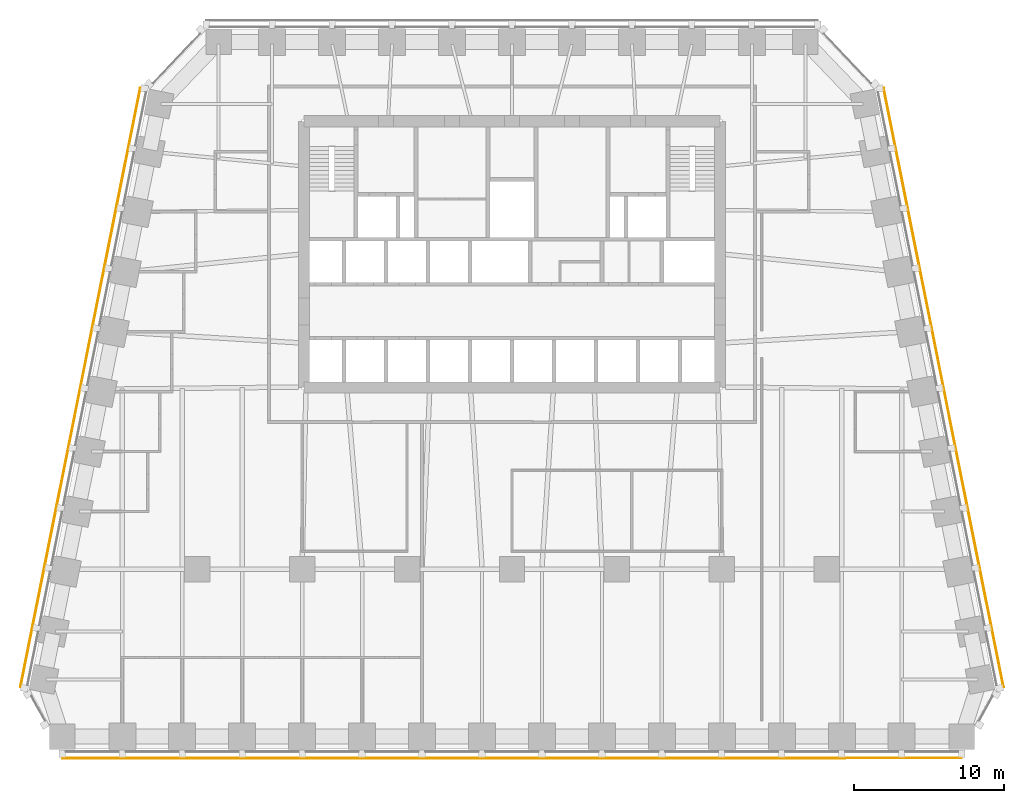
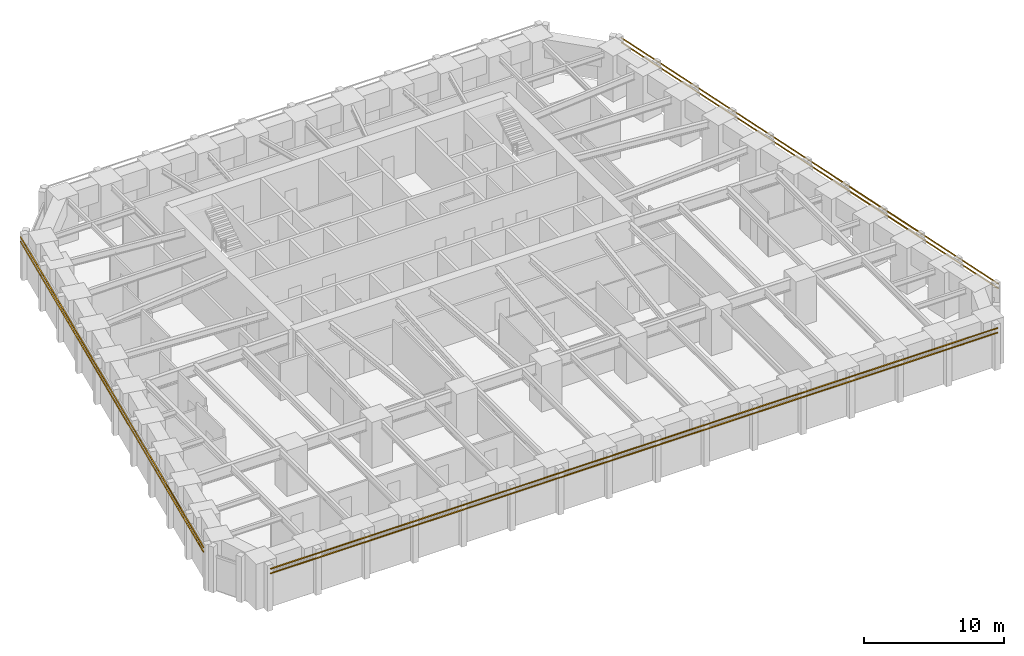
# One storey, part 9 of 10: 6 shading devices.
"""IFC4 building model written with IfcOpenShell, lengths in metres."""

from ifc_helpers import new_model, si_unit, direction, frame, origin, origin_2d, place, context, subcontext, project, spatial, rectangle, extrude, material, material_profile, profile_set, type_object, element, save


model = new_model("IFC4")

# Units and contexts
model_context = context("Model", 3, precision=1e-05, world=origin(), true_north=direction((0.0, 1.0)))
body_context = subcontext(model_context, "Body", "Model", "MODEL_VIEW")
ifc_project = project(units=[si_unit("LENGTHUNIT", "METRE"), si_unit("AREAUNIT", "SQUARE_METRE"), si_unit("VOLUMEUNIT", "CUBIC_METRE"), si_unit("PLANEANGLEUNIT", "RADIAN"), si_unit("MASSUNIT", "GRAM", prefix="KILO")], contexts=[model_context])

# Site, building, storey
site_placement = place(None, origin())
site = spatial("IfcSite", under=ifc_project, at=site_placement, CompositionType="ELEMENT")
building_placement = place(site_placement, origin())
building = spatial("IfcBuilding", under=site, at=building_placement, Name="Isbrekke Arena Tower", CompositionType="ELEMENT")
storey_placement = place(building_placement, frame((0.0, 0.0, 103.0)))
storey = spatial("IfcBuildingStorey", under=building, at=storey_placement, Name="L22", CompositionType="ELEMENT", Elevation=103.0)

# Shading devices
ifc_material = material(Name="Terracotta", Category="masonry")
ifc_material_profile = material_profile(ifc_material, rectangle(XDim=0.06005859375, YDim=0.06005859375, at=origin_2d()), Name="BAGUETTE 60X60")
ifc_profile_set = profile_set([ifc_material_profile], Name="Terracotta")
shading_device_type = type_object("IfcShadingDeviceType", Name="BG1 TERRACOTTA BAGUETTE 60 x 60", PredefinedType="USERDEFINED", material=ifc_profile_set)
for number, where, z_axis, x_axis, name in (
    (1, (-30.0, -18.60498046875, 3.280029296875), (1.0, 0.0, 0.0), (0.0, 1.0, 0.0), "BG1 terracotta baguette S1 L22"),
    (2, (-30.0, -18.60498046875, 3.679931640625), (1.0, 0.0, 0.0), (0.0, 1.0, 0.0), "BG1 terracotta baguette S2 L22"),
):
    element("IfcShadingDevice", number, at=place(storey_placement, frame(where, z_axis=z_axis, x_axis=x_axis)), inside=storey, type_object=shading_device_type, Name=name, ObjectType="TERRACOTTA BAGUETTE", PredefinedType="USERDEFINED", context=body_context, shape_type="SweptSolid", body=[
        extrude(rectangle(XDim=0.06005859375, YDim=0.06005859375, at=origin_2d()), origin(), (0.0, 0.0, 1.0), 60.0),
    ])
for number, where, z_axis, x_axis, name in (
    (3, (32.793212890625, -13.88134765625, 3.280029296875), (-0.196116135138, 0.980580675691, 0.0), (-0.980580675691, -0.196116135138, 0.0), "BG1 terracotta baguette E1 L22"),
    (4, (32.793212890625, -13.88134765625, 3.679931640625), (-0.196116135138, 0.980580675691, 0.0), (-0.980580675691, -0.196116135138, 0.0), "BG1 terracotta baguette E2 L22"),
    (5, (-24.793212890625, 26.11865234375, 3.280029296875), (-0.196116135138, -0.980580675691, 0.0), (0.980580675691, -0.196116135138, 0.0), "BG1 terracotta baguette W1 L22"),
    (6, (-24.793212890625, 26.11865234375, 3.679931640625), (-0.196116135138, -0.980580675691, 0.0), (0.980580675691, -0.196116135138, 0.0), "BG1 terracotta baguette W2 L22"),
):
    element("IfcShadingDevice", number, at=place(storey_placement, frame(where, z_axis=z_axis, x_axis=x_axis)), inside=storey, type_object=shading_device_type, Name=name, ObjectType="TERRACOTTA BAGUETTE", PredefinedType="USERDEFINED", context=body_context, shape_type="SweptSolid", body=[
        extrude(rectangle(XDim=0.06005859375, YDim=0.06005859375, at=origin_2d()), origin(), (0.0, 0.0, 1.0), 40.792236328125),
    ])

save(model, "model.ifc")
